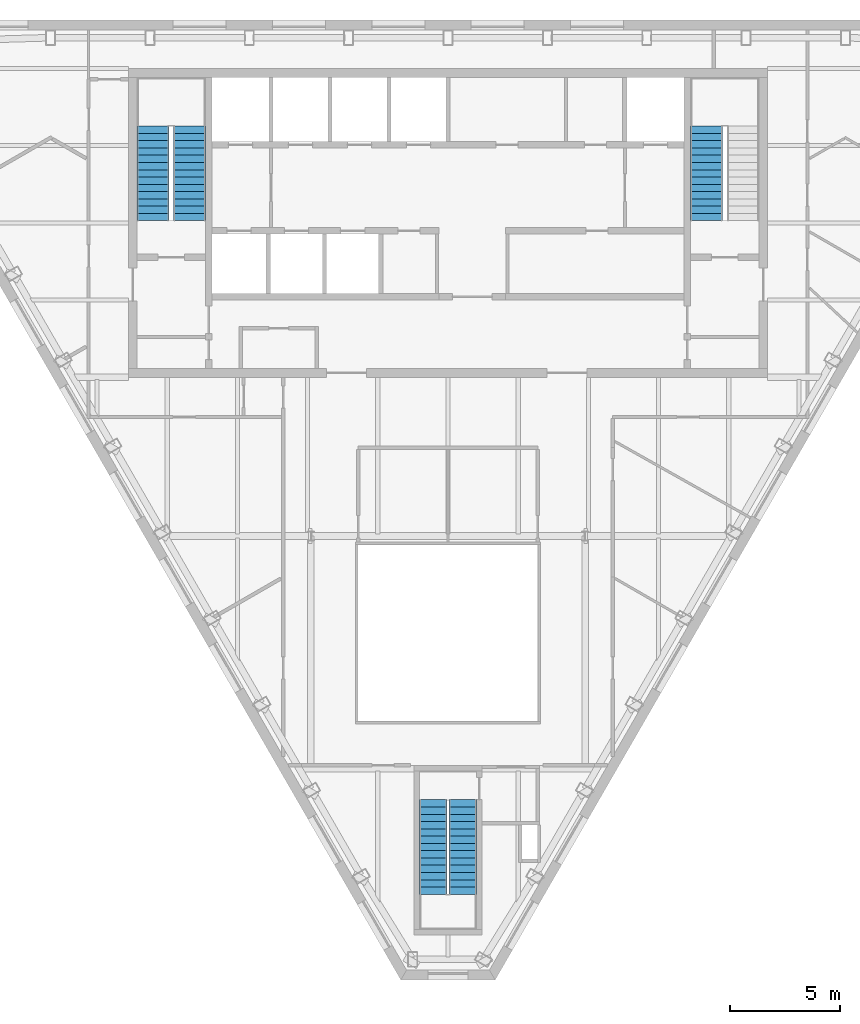
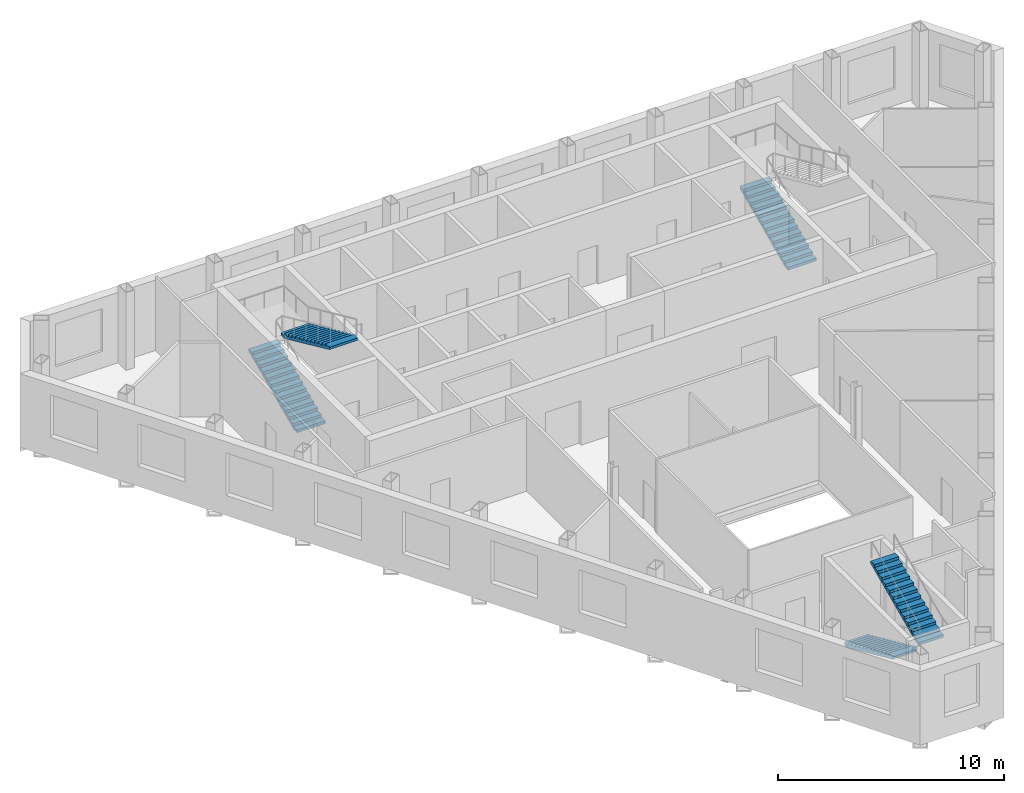
# One storey, part 7 of 9: 5 stair flights, 3 elements without a shape of their own.
"""IFC4 building model written with IfcOpenShell, lengths in metres."""

from ifc_helpers import new_model, si_unit, direction, frame, origin, place, context, subcontext, project, spatial, polygons, material, type_object, element, aggregate, save


model = new_model("IFC4")

# Units and contexts
model_context = context("Model", 3, precision=1e-05, world=origin(), true_north=direction((0.0, 1.0)))
body_context = subcontext(model_context, "Body", "Model", "MODEL_VIEW")
ifc_project = project(units=[si_unit("LENGTHUNIT", "METRE"), si_unit("AREAUNIT", "SQUARE_METRE"), si_unit("VOLUMEUNIT", "CUBIC_METRE"), si_unit("PLANEANGLEUNIT", "RADIAN"), si_unit("MASSUNIT", "GRAM", prefix="KILO")], contexts=[model_context])

# Site, building, storey
site_placement = place(None, origin())
site = spatial("IfcSite", under=ifc_project, at=site_placement, CompositionType="ELEMENT")
building_placement = place(site_placement, origin())
building = spatial("IfcBuilding", under=site, at=building_placement, Name="Njiva Tower", CompositionType="ELEMENT")
storey_placement = place(building_placement, frame((0.0, 0.0, 321.0)))
storey = spatial("IfcBuildingStorey", under=building, at=storey_placement, Name="L73", CompositionType="ELEMENT", Elevation=321.0)

# Stair, stair flights
ifc_material = material(Name="Concrete C40/50", Category="concrete")
stair_type_1 = type_object("IfcStairType", Name="ST1 Exit stair 1250", PredefinedType="HALF_TURN_STAIR", material=ifc_material)
stair_1_placement = place(storey_placement, origin())
stair_1 = element("IfcStair", 1, at=stair_1_placement, inside=storey, type_object=stair_type_1, Name="Stair C", PredefinedType="HALF_TURN_STAIR")
stair_flight_type_1 = type_object("IfcStairFlightType", Name="FL1 Stair flight 1250", PredefinedType="STRAIGHT", material=ifc_material)
stair_flight_1_placement = place(storey_placement, frame((-0.675, -15.16, 0.0), z_axis=(0.0, 0.0, 1.0), x_axis=(0.0, -1.0, 0.0)))
stair_flight_1 = element("IfcStairFlight", 2, at=stair_flight_1_placement, type_object=stair_flight_type_1, Name="ST-C flight 1", NumberOfRisers=14, NumberOfTreads=13, PredefinedType="STRAIGHT", RiserHeight=0.15, TreadLength=0.33, context=body_context, shape_type="Tessellation", body=[
    polygons([(0.0, 0.625, 0.0), (0.0, 0.3125, 0.0), (0.0, 0.0, 0.0), (0.0, -0.3125, 0.0), (0.0, -0.625, 0.0), (0.0, 0.625, 0.15), (0.0, 0.3125, 0.15), (0.0, 0.0, 0.15), (0.0, -0.3125, 0.15), (0.0, -0.625, 0.15), (0.33, 0.625, 0.15), (0.33, 0.3125, 0.15), (0.33, 0.0, 0.15), (0.33, -0.3125, 0.15), (0.33, -0.625, 0.15), (0.33, 0.625, 0.3), (0.33, 0.3125, 0.3), (0.33, 0.0, 0.3), (0.33, -0.3125, 0.3), (0.33, -0.625, 0.3), (0.66, 0.625, 0.3), (0.66, 0.3125, 0.3), (0.66, 0.0, 0.3), (0.66, -0.3125, 0.3), (0.66, -0.625, 0.3), (0.66, 0.625, 0.45), (0.66, 0.3125, 0.45), (0.66, 0.0, 0.45), (0.66, -0.3125, 0.45), (0.66, -0.625, 0.45), (0.99, 0.625, 0.45), (0.99, 0.3125, 0.45), (0.99, 0.0, 0.45), (0.99, -0.3125, 0.45), (0.99, -0.625, 0.45), (0.99, 0.625, 0.6), (0.99, 0.3125, 0.6), (0.99, 0.0, 0.6), (0.99, -0.3125, 0.6), (0.99, -0.625, 0.6), (1.32, 0.625, 0.6), (1.32, 0.3125, 0.6), (1.32, 0.0, 0.6), (1.32, -0.3125, 0.6), (1.32, -0.625, 0.6), (1.32, 0.625, 0.75), (1.32, 0.3125, 0.75), (1.32, 0.0, 0.75), (1.32, -0.3125, 0.75), (1.32, -0.625, 0.75), (1.65, 0.625, 0.75), (1.65, 0.3125, 0.75), (1.65, 0.0, 0.75), (1.65, -0.3125, 0.75), (1.65, -0.625, 0.75), (1.65, 0.625, 0.9), (1.65, 0.3125, 0.9), (1.65, 0.0, 0.9), (1.65, -0.3125, 0.9), (1.65, -0.625, 0.9), (1.98, 0.625, 0.9), (1.98, 0.3125, 0.9), (1.98, 0.0, 0.9), (1.98, -0.3125, 0.9), (1.98, -0.625, 0.9), (1.98, 0.625, 1.05), (1.98, 0.3125, 1.05), (1.98, 0.0, 1.05), (1.98, -0.3125, 1.05), (1.98, -0.625, 1.05), (2.31, 0.625, 1.05), (2.31, 0.3125, 1.05), (2.31, 0.0, 1.05), (2.31, -0.3125, 1.05), (2.31, -0.625, 1.05), (2.31, 0.625, 1.2), (2.31, 0.3125, 1.2), (2.31, 0.0, 1.2), (2.31, -0.3125, 1.2), (2.31, -0.625, 1.2), (2.64, 0.625, 1.2), (2.64, 0.3125, 1.2), (2.64, 0.0, 1.2), (2.64, -0.3125, 1.2), (2.64, -0.625, 1.2), (2.64, 0.625, 1.35), (2.64, 0.3125, 1.35), (2.64, 0.0, 1.35), (2.64, -0.3125, 1.35), (2.64, -0.625, 1.35), (2.97, 0.625, 1.35), (2.97, 0.3125, 1.35), (2.97, 0.0, 1.35), (2.97, -0.3125, 1.35), (2.97, -0.625, 1.35), (2.97, 0.625, 1.5), (2.97, 0.3125, 1.5), (2.97, 0.0, 1.5), (2.97, -0.3125, 1.5), (2.97, -0.625, 1.5), (3.3, 0.625, 1.5), (3.3, 0.3125, 1.5), (3.3, 0.0, 1.5), (3.3, -0.3125, 1.5), (3.3, -0.625, 1.5), (3.3, 0.625, 1.65), (3.3, 0.3125, 1.65), (3.3, 0.0, 1.65), (3.3, -0.3125, 1.65), (3.3, -0.625, 1.65), (3.63, 0.625, 1.65), (3.63, 0.3125, 1.65), (3.63, 0.0, 1.65), (3.63, -0.3125, 1.65), (3.63, -0.625, 1.65), (3.63, 0.625, 1.8), (3.63, 0.3125, 1.8), (3.63, 0.0, 1.8), (3.63, -0.3125, 1.8), (3.63, -0.625, 1.8), (3.96, 0.625, 1.8), (3.96, 0.3125, 1.8), (3.96, 0.0, 1.8), (3.96, -0.3125, 1.8), (3.96, -0.625, 1.8), (3.96, 0.625, 1.95), (3.96, 0.3125, 1.95), (3.96, 0.0, 1.95), (3.96, -0.3125, 1.95), (3.96, -0.625, 1.95), (4.29, 0.625, 1.95), (4.29, 0.3125, 1.95), (4.29, 0.0, 1.95), (4.29, -0.3125, 1.95), (4.29, -0.625, 1.95), (4.29, 0.625, 1.8182), (4.29, 0.3125, 1.8182), (4.29, 0.0, 1.8182), (4.29, -0.3125, 1.8182), (4.29, -0.625, 1.8182), (0.29, 0.625, 0.0), (0.29, 0.3125, 0.0), (0.29, 0.0, 0.0), (0.29, -0.3125, 0.0), (0.29, -0.625, 0.0)], [[[1, 6, 11, 16, 21, 26, 31, 36, 41, 46, 51, 56, 61, 66, 71, 76, 81, 86, 91, 96, 101, 106, 111, 116, 121, 126, 131, 136, 141]], [[145, 140, 135, 130, 125, 120, 115, 110, 105, 100, 95, 90, 85, 80, 75, 70, 65, 60, 55, 50, 45, 40, 35, 30, 25, 20, 15, 10, 5]], [[6, 1, 2, 7]], [[7, 2, 3, 8]], [[8, 3, 4, 9]], [[9, 4, 5, 10]], [[11, 6, 7, 12]], [[12, 7, 8, 13]], [[13, 8, 9, 14]], [[14, 9, 10, 15]], [[16, 11, 12, 17]], [[17, 12, 13, 18]], [[18, 13, 14, 19]], [[19, 14, 15, 20]], [[21, 16, 17, 22]], [[22, 17, 18, 23]], [[23, 18, 19, 24]], [[24, 19, 20, 25]], [[26, 21, 22, 27]], [[27, 22, 23, 28]], [[28, 23, 24, 29]], [[29, 24, 25, 30]], [[31, 26, 27, 32]], [[32, 27, 28, 33]], [[33, 28, 29, 34]], [[34, 29, 30, 35]], [[36, 31, 32, 37]], [[37, 32, 33, 38]], [[38, 33, 34, 39]], [[39, 34, 35, 40]], [[41, 36, 37, 42]], [[42, 37, 38, 43]], [[43, 38, 39, 44]], [[44, 39, 40, 45]], [[46, 41, 42, 47]], [[47, 42, 43, 48]], [[48, 43, 44, 49]], [[49, 44, 45, 50]], [[51, 46, 47, 52]], [[52, 47, 48, 53]], [[53, 48, 49, 54]], [[54, 49, 50, 55]], [[56, 51, 52, 57]], [[57, 52, 53, 58]], [[58, 53, 54, 59]], [[59, 54, 55, 60]], [[61, 56, 57, 62]], [[62, 57, 58, 63]], [[63, 58, 59, 64]], [[64, 59, 60, 65]], [[66, 61, 62, 67]], [[67, 62, 63, 68]], [[68, 63, 64, 69]], [[69, 64, 65, 70]], [[71, 66, 67, 72]], [[72, 67, 68, 73]], [[73, 68, 69, 74]], [[74, 69, 70, 75]], [[76, 71, 72, 77]], [[77, 72, 73, 78]], [[78, 73, 74, 79]], [[79, 74, 75, 80]], [[81, 76, 77, 82]], [[82, 77, 78, 83]], [[83, 78, 79, 84]], [[84, 79, 80, 85]], [[86, 81, 82, 87]], [[87, 82, 83, 88]], [[88, 83, 84, 89]], [[89, 84, 85, 90]], [[91, 86, 87, 92]], [[92, 87, 88, 93]], [[93, 88, 89, 94]], [[94, 89, 90, 95]], [[96, 91, 92, 97]], [[97, 92, 93, 98]], [[98, 93, 94, 99]], [[99, 94, 95, 100]], [[101, 96, 97, 102]], [[102, 97, 98, 103]], [[103, 98, 99, 104]], [[104, 99, 100, 105]], [[106, 101, 102, 107]], [[107, 102, 103, 108]], [[108, 103, 104, 109]], [[109, 104, 105, 110]], [[111, 106, 107, 112]], [[112, 107, 108, 113]], [[113, 108, 109, 114]], [[114, 109, 110, 115]], [[116, 111, 112, 117]], [[117, 112, 113, 118]], [[118, 113, 114, 119]], [[119, 114, 115, 120]], [[121, 116, 117, 122]], [[122, 117, 118, 123]], [[123, 118, 119, 124]], [[124, 119, 120, 125]], [[126, 121, 122, 127]], [[127, 122, 123, 128]], [[128, 123, 124, 129]], [[129, 124, 125, 130]], [[131, 126, 127, 132]], [[132, 127, 128, 133]], [[133, 128, 129, 134]], [[134, 129, 130, 135]], [[136, 131, 132, 137]], [[137, 132, 133, 138]], [[138, 133, 134, 139]], [[139, 134, 135, 140]], [[141, 136, 137, 142]], [[142, 137, 138, 143]], [[143, 138, 139, 144]], [[144, 139, 140, 145]], [[1, 141, 142, 2]], [[2, 142, 143, 3]], [[3, 143, 144, 4]], [[4, 144, 145, 5]]], closed=True),
])
stair_flight_2_placement = place(storey_placement, frame((0.675, -19.45, 2.1), z_axis=(0.0, 0.0, 1.0), x_axis=(0.0, 1.0, 0.0)))
stair_flight_2 = element("IfcStairFlight", 3, at=stair_flight_2_placement, type_object=stair_flight_type_1, Name="ST-C flight 2", NumberOfRisers=14, NumberOfTreads=13, PredefinedType="STRAIGHT", RiserHeight=0.15, TreadLength=0.33, context=body_context, shape_type="Tessellation", body=[
    polygons([(0.0, 0.625, 0.0), (0.0, 0.3125, 0.0), (0.0, 0.0, 0.0), (0.0, -0.3125, 0.0), (0.0, -0.625, 0.0), (0.0, 0.625, 0.15), (0.0, 0.3125, 0.15), (0.0, 0.0, 0.15), (0.0, -0.3125, 0.15), (0.0, -0.625, 0.15), (0.33, 0.625, 0.15), (0.33, 0.3125, 0.15), (0.33, 0.0, 0.15), (0.33, -0.3125, 0.15), (0.33, -0.625, 0.15), (0.33, 0.625, 0.3), (0.33, 0.3125, 0.3), (0.33, 0.0, 0.3), (0.33, -0.3125, 0.3), (0.33, -0.625, 0.3), (0.66, 0.625, 0.3), (0.66, 0.3125, 0.3), (0.66, 0.0, 0.3), (0.66, -0.3125, 0.3), (0.66, -0.625, 0.3), (0.66, 0.625, 0.45), (0.66, 0.3125, 0.45), (0.66, 0.0, 0.45), (0.66, -0.3125, 0.45), (0.66, -0.625, 0.45), (0.99, 0.625, 0.45), (0.99, 0.3125, 0.45), (0.99, 0.0, 0.45), (0.99, -0.3125, 0.45), (0.99, -0.625, 0.45), (0.99, 0.625, 0.6), (0.99, 0.3125, 0.6), (0.99, 0.0, 0.6), (0.99, -0.3125, 0.6), (0.99, -0.625, 0.6), (1.32, 0.625, 0.6), (1.32, 0.3125, 0.6), (1.32, 0.0, 0.6), (1.32, -0.3125, 0.6), (1.32, -0.625, 0.6), (1.32, 0.625, 0.75), (1.32, 0.3125, 0.75), (1.32, 0.0, 0.75), (1.32, -0.3125, 0.75), (1.32, -0.625, 0.75), (1.65, 0.625, 0.75), (1.65, 0.3125, 0.75), (1.65, 0.0, 0.75), (1.65, -0.3125, 0.75), (1.65, -0.625, 0.75), (1.65, 0.625, 0.9), (1.65, 0.3125, 0.9), (1.65, 0.0, 0.9), (1.65, -0.3125, 0.9), (1.65, -0.625, 0.9), (1.98, 0.625, 0.9), (1.98, 0.3125, 0.9), (1.98, 0.0, 0.9), (1.98, -0.3125, 0.9), (1.98, -0.625, 0.9), (1.98, 0.625, 1.05), (1.98, 0.3125, 1.05), (1.98, 0.0, 1.05), (1.98, -0.3125, 1.05), (1.98, -0.625, 1.05), (2.31, 0.625, 1.05), (2.31, 0.3125, 1.05), (2.31, 0.0, 1.05), (2.31, -0.3125, 1.05), (2.31, -0.625, 1.05), (2.31, 0.625, 1.2), (2.31, 0.3125, 1.2), (2.31, 0.0, 1.2), (2.31, -0.3125, 1.2), (2.31, -0.625, 1.2), (2.64, 0.625, 1.2), (2.64, 0.3125, 1.2), (2.64, 0.0, 1.2), (2.64, -0.3125, 1.2), (2.64, -0.625, 1.2), (2.64, 0.625, 1.35), (2.64, 0.3125, 1.35), (2.64, 0.0, 1.35), (2.64, -0.3125, 1.35), (2.64, -0.625, 1.35), (2.97, 0.625, 1.35), (2.97, 0.3125, 1.35), (2.97, 0.0, 1.35), (2.97, -0.3125, 1.35), (2.97, -0.625, 1.35), (2.97, 0.625, 1.5), (2.97, 0.3125, 1.5), (2.97, 0.0, 1.5), (2.97, -0.3125, 1.5), (2.97, -0.625, 1.5), (3.3, 0.625, 1.5), (3.3, 0.3125, 1.5), (3.3, 0.0, 1.5), (3.3, -0.3125, 1.5), (3.3, -0.625, 1.5), (3.3, 0.625, 1.65), (3.3, 0.3125, 1.65), (3.3, 0.0, 1.65), (3.3, -0.3125, 1.65), (3.3, -0.625, 1.65), (3.63, 0.625, 1.65), (3.63, 0.3125, 1.65), (3.63, 0.0, 1.65), (3.63, -0.3125, 1.65), (3.63, -0.625, 1.65), (3.63, 0.625, 1.8), (3.63, 0.3125, 1.8), (3.63, 0.0, 1.8), (3.63, -0.3125, 1.8), (3.63, -0.625, 1.8), (3.96, 0.625, 1.8), (3.96, 0.3125, 1.8), (3.96, 0.0, 1.8), (3.96, -0.3125, 1.8), (3.96, -0.625, 1.8), (3.96, 0.625, 1.95), (3.96, 0.3125, 1.95), (3.96, 0.0, 1.95), (3.96, -0.3125, 1.95), (3.96, -0.625, 1.95), (4.29, 0.625, 1.95), (4.29, 0.3125, 1.95), (4.29, 0.0, 1.95), (4.29, -0.3125, 1.95), (4.29, -0.625, 1.95), (4.29, 0.625, 1.8182), (4.29, 0.3125, 1.8182), (4.29, 0.0, 1.8182), (4.29, -0.3125, 1.8182), (4.29, -0.625, 1.8182), (0.29, 0.625, 0.0), (0.29, 0.3125, 0.0), (0.29, 0.0, 0.0), (0.29, -0.3125, 0.0), (0.29, -0.625, 0.0)], [[[1, 6, 11, 16, 21, 26, 31, 36, 41, 46, 51, 56, 61, 66, 71, 76, 81, 86, 91, 96, 101, 106, 111, 116, 121, 126, 131, 136, 141]], [[145, 140, 135, 130, 125, 120, 115, 110, 105, 100, 95, 90, 85, 80, 75, 70, 65, 60, 55, 50, 45, 40, 35, 30, 25, 20, 15, 10, 5]], [[6, 1, 2, 7]], [[7, 2, 3, 8]], [[8, 3, 4, 9]], [[9, 4, 5, 10]], [[11, 6, 7, 12]], [[12, 7, 8, 13]], [[13, 8, 9, 14]], [[14, 9, 10, 15]], [[16, 11, 12, 17]], [[17, 12, 13, 18]], [[18, 13, 14, 19]], [[19, 14, 15, 20]], [[21, 16, 17, 22]], [[22, 17, 18, 23]], [[23, 18, 19, 24]], [[24, 19, 20, 25]], [[26, 21, 22, 27]], [[27, 22, 23, 28]], [[28, 23, 24, 29]], [[29, 24, 25, 30]], [[31, 26, 27, 32]], [[32, 27, 28, 33]], [[33, 28, 29, 34]], [[34, 29, 30, 35]], [[36, 31, 32, 37]], [[37, 32, 33, 38]], [[38, 33, 34, 39]], [[39, 34, 35, 40]], [[41, 36, 37, 42]], [[42, 37, 38, 43]], [[43, 38, 39, 44]], [[44, 39, 40, 45]], [[46, 41, 42, 47]], [[47, 42, 43, 48]], [[48, 43, 44, 49]], [[49, 44, 45, 50]], [[51, 46, 47, 52]], [[52, 47, 48, 53]], [[53, 48, 49, 54]], [[54, 49, 50, 55]], [[56, 51, 52, 57]], [[57, 52, 53, 58]], [[58, 53, 54, 59]], [[59, 54, 55, 60]], [[61, 56, 57, 62]], [[62, 57, 58, 63]], [[63, 58, 59, 64]], [[64, 59, 60, 65]], [[66, 61, 62, 67]], [[67, 62, 63, 68]], [[68, 63, 64, 69]], [[69, 64, 65, 70]], [[71, 66, 67, 72]], [[72, 67, 68, 73]], [[73, 68, 69, 74]], [[74, 69, 70, 75]], [[76, 71, 72, 77]], [[77, 72, 73, 78]], [[78, 73, 74, 79]], [[79, 74, 75, 80]], [[81, 76, 77, 82]], [[82, 77, 78, 83]], [[83, 78, 79, 84]], [[84, 79, 80, 85]], [[86, 81, 82, 87]], [[87, 82, 83, 88]], [[88, 83, 84, 89]], [[89, 84, 85, 90]], [[91, 86, 87, 92]], [[92, 87, 88, 93]], [[93, 88, 89, 94]], [[94, 89, 90, 95]], [[96, 91, 92, 97]], [[97, 92, 93, 98]], [[98, 93, 94, 99]], [[99, 94, 95, 100]], [[101, 96, 97, 102]], [[102, 97, 98, 103]], [[103, 98, 99, 104]], [[104, 99, 100, 105]], [[106, 101, 102, 107]], [[107, 102, 103, 108]], [[108, 103, 104, 109]], [[109, 104, 105, 110]], [[111, 106, 107, 112]], [[112, 107, 108, 113]], [[113, 108, 109, 114]], [[114, 109, 110, 115]], [[116, 111, 112, 117]], [[117, 112, 113, 118]], [[118, 113, 114, 119]], [[119, 114, 115, 120]], [[121, 116, 117, 122]], [[122, 117, 118, 123]], [[123, 118, 119, 124]], [[124, 119, 120, 125]], [[126, 121, 122, 127]], [[127, 122, 123, 128]], [[128, 123, 124, 129]], [[129, 124, 125, 130]], [[131, 126, 127, 132]], [[132, 127, 128, 133]], [[133, 128, 129, 134]], [[134, 129, 130, 135]], [[136, 131, 132, 137]], [[137, 132, 133, 138]], [[138, 133, 134, 139]], [[139, 134, 135, 140]], [[141, 136, 137, 142]], [[142, 137, 138, 143]], [[143, 138, 139, 144]], [[144, 139, 140, 145]], [[1, 141, 142, 2]], [[2, 142, 143, 3]], [[3, 143, 144, 4]], [[4, 144, 145, 5]]], closed=True),
])
aggregate(stair_1, [stair_flight_1, stair_flight_2])

stair_type_2 = type_object("IfcStairType", Name="ST3 Exit stair 1450", PredefinedType="HALF_TURN_STAIR", material=ifc_material)
stair_2_placement = place(storey_placement, origin())
stair_2 = element("IfcStair", 4, at=stair_2_placement, inside=storey, type_object=stair_type_2, Name="Stair A", PredefinedType="HALF_TURN_STAIR")
stair_flight_type_2 = type_object("IfcStairFlightType", Name="FL3 Stair flight 1450", PredefinedType="STRAIGHT", material=ifc_material)
stair_flight_3_placement = place(storey_placement, frame((-13.375, 11.1, 0.0), z_axis=(0.0, 0.0, 1.0), x_axis=(0.0, 1.0, 0.0)))
stair_flight_3 = element("IfcStairFlight", 5, at=stair_flight_3_placement, type_object=stair_flight_type_2, Name="ST-A flight 1", NumberOfRisers=14, NumberOfTreads=13, PredefinedType="STRAIGHT", RiserHeight=0.15, TreadLength=0.33, context=body_context, shape_type="Tessellation", body=[
    polygons([(0.0, 0.725, 0.0), (0.0, 0.3625, 0.0), (0.0, 0.0, 0.0), (0.0, -0.3625, 0.0), (0.0, -0.725, 0.0), (0.0, 0.725, 0.15), (0.0, 0.3625, 0.15), (0.0, 0.0, 0.15), (0.0, -0.3625, 0.15), (0.0, -0.725, 0.15), (0.33, 0.725, 0.15), (0.33, 0.3625, 0.15), (0.33, 0.0, 0.15), (0.33, -0.3625, 0.15), (0.33, -0.725, 0.15), (0.33, 0.725, 0.3), (0.33, 0.3625, 0.3), (0.33, 0.0, 0.3), (0.33, -0.3625, 0.3), (0.33, -0.725, 0.3), (0.66, 0.725, 0.3), (0.66, 0.3625, 0.3), (0.66, 0.0, 0.3), (0.66, -0.3625, 0.3), (0.66, -0.725, 0.3), (0.66, 0.725, 0.45), (0.66, 0.3625, 0.45), (0.66, 0.0, 0.45), (0.66, -0.3625, 0.45), (0.66, -0.725, 0.45), (0.99, 0.725, 0.45), (0.99, 0.3625, 0.45), (0.99, 0.0, 0.45), (0.99, -0.3625, 0.45), (0.99, -0.725, 0.45), (0.99, 0.725, 0.6), (0.99, 0.3625, 0.6), (0.99, 0.0, 0.6), (0.99, -0.3625, 0.6), (0.99, -0.725, 0.6), (1.32, 0.725, 0.6), (1.32, 0.3625, 0.6), (1.32, 0.0, 0.6), (1.32, -0.3625, 0.6), (1.32, -0.725, 0.6), (1.32, 0.725, 0.75), (1.32, 0.3625, 0.75), (1.32, 0.0, 0.75), (1.32, -0.3625, 0.75), (1.32, -0.725, 0.75), (1.65, 0.725, 0.75), (1.65, 0.3625, 0.75), (1.65, 0.0, 0.75), (1.65, -0.3625, 0.75), (1.65, -0.725, 0.75), (1.65, 0.725, 0.9), (1.65, 0.3625, 0.9), (1.65, 0.0, 0.9), (1.65, -0.3625, 0.9), (1.65, -0.725, 0.9), (1.98, 0.725, 0.9), (1.98, 0.3625, 0.9), (1.98, 0.0, 0.9), (1.98, -0.3625, 0.9), (1.98, -0.725, 0.9), (1.98, 0.725, 1.05), (1.98, 0.3625, 1.05), (1.98, 0.0, 1.05), (1.98, -0.3625, 1.05), (1.98, -0.725, 1.05), (2.31, 0.725, 1.05), (2.31, 0.3625, 1.05), (2.31, 0.0, 1.05), (2.31, -0.3625, 1.05), (2.31, -0.725, 1.05), (2.31, 0.725, 1.2), (2.31, 0.3625, 1.2), (2.31, 0.0, 1.2), (2.31, -0.3625, 1.2), (2.31, -0.725, 1.2), (2.64, 0.725, 1.2), (2.64, 0.3625, 1.2), (2.64, 0.0, 1.2), (2.64, -0.3625, 1.2), (2.64, -0.725, 1.2), (2.64, 0.725, 1.35), (2.64, 0.3625, 1.35), (2.64, 0.0, 1.35), (2.64, -0.3625, 1.35), (2.64, -0.725, 1.35), (2.97, 0.725, 1.35), (2.97, 0.3625, 1.35), (2.97, 0.0, 1.35), (2.97, -0.3625, 1.35), (2.97, -0.725, 1.35), (2.97, 0.725, 1.5), (2.97, 0.3625, 1.5), (2.97, 0.0, 1.5), (2.97, -0.3625, 1.5), (2.97, -0.725, 1.5), (3.3, 0.725, 1.5), (3.3, 0.3625, 1.5), (3.3, 0.0, 1.5), (3.3, -0.3625, 1.5), (3.3, -0.725, 1.5), (3.3, 0.725, 1.65), (3.3, 0.3625, 1.65), (3.3, 0.0, 1.65), (3.3, -0.3625, 1.65), (3.3, -0.725, 1.65), (3.63, 0.725, 1.65), (3.63, 0.3625, 1.65), (3.63, 0.0, 1.65), (3.63, -0.3625, 1.65), (3.63, -0.725, 1.65), (3.63, 0.725, 1.8), (3.63, 0.3625, 1.8), (3.63, 0.0, 1.8), (3.63, -0.3625, 1.8), (3.63, -0.725, 1.8), (3.96, 0.725, 1.8), (3.96, 0.3625, 1.8), (3.96, 0.0, 1.8), (3.96, -0.3625, 1.8), (3.96, -0.725, 1.8), (3.96, 0.725, 1.95), (3.96, 0.3625, 1.95), (3.96, 0.0, 1.95), (3.96, -0.3625, 1.95), (3.96, -0.725, 1.95), (4.29, 0.725, 1.95), (4.29, 0.3625, 1.95), (4.29, 0.0, 1.95), (4.29, -0.3625, 1.95), (4.29, -0.725, 1.95), (4.29, 0.725, 1.8182), (4.29, 0.3625, 1.8182), (4.29, 0.0, 1.8182), (4.29, -0.3625, 1.8182), (4.29, -0.725, 1.8182), (0.29, 0.725, 0.0), (0.29, 0.3625, 0.0), (0.29, 0.0, 0.0), (0.29, -0.3625, 0.0), (0.29, -0.725, 0.0)], [[[1, 6, 11, 16, 21, 26, 31, 36, 41, 46, 51, 56, 61, 66, 71, 76, 81, 86, 91, 96, 101, 106, 111, 116, 121, 126, 131, 136, 141]], [[145, 140, 135, 130, 125, 120, 115, 110, 105, 100, 95, 90, 85, 80, 75, 70, 65, 60, 55, 50, 45, 40, 35, 30, 25, 20, 15, 10, 5]], [[6, 1, 2, 7]], [[7, 2, 3, 8]], [[8, 3, 4, 9]], [[9, 4, 5, 10]], [[11, 6, 7, 12]], [[12, 7, 8, 13]], [[13, 8, 9, 14]], [[14, 9, 10, 15]], [[16, 11, 12, 17]], [[17, 12, 13, 18]], [[18, 13, 14, 19]], [[19, 14, 15, 20]], [[21, 16, 17, 22]], [[22, 17, 18, 23]], [[23, 18, 19, 24]], [[24, 19, 20, 25]], [[26, 21, 22, 27]], [[27, 22, 23, 28]], [[28, 23, 24, 29]], [[29, 24, 25, 30]], [[31, 26, 27, 32]], [[32, 27, 28, 33]], [[33, 28, 29, 34]], [[34, 29, 30, 35]], [[36, 31, 32, 37]], [[37, 32, 33, 38]], [[38, 33, 34, 39]], [[39, 34, 35, 40]], [[41, 36, 37, 42]], [[42, 37, 38, 43]], [[43, 38, 39, 44]], [[44, 39, 40, 45]], [[46, 41, 42, 47]], [[47, 42, 43, 48]], [[48, 43, 44, 49]], [[49, 44, 45, 50]], [[51, 46, 47, 52]], [[52, 47, 48, 53]], [[53, 48, 49, 54]], [[54, 49, 50, 55]], [[56, 51, 52, 57]], [[57, 52, 53, 58]], [[58, 53, 54, 59]], [[59, 54, 55, 60]], [[61, 56, 57, 62]], [[62, 57, 58, 63]], [[63, 58, 59, 64]], [[64, 59, 60, 65]], [[66, 61, 62, 67]], [[67, 62, 63, 68]], [[68, 63, 64, 69]], [[69, 64, 65, 70]], [[71, 66, 67, 72]], [[72, 67, 68, 73]], [[73, 68, 69, 74]], [[74, 69, 70, 75]], [[76, 71, 72, 77]], [[77, 72, 73, 78]], [[78, 73, 74, 79]], [[79, 74, 75, 80]], [[81, 76, 77, 82]], [[82, 77, 78, 83]], [[83, 78, 79, 84]], [[84, 79, 80, 85]], [[86, 81, 82, 87]], [[87, 82, 83, 88]], [[88, 83, 84, 89]], [[89, 84, 85, 90]], [[91, 86, 87, 92]], [[92, 87, 88, 93]], [[93, 88, 89, 94]], [[94, 89, 90, 95]], [[96, 91, 92, 97]], [[97, 92, 93, 98]], [[98, 93, 94, 99]], [[99, 94, 95, 100]], [[101, 96, 97, 102]], [[102, 97, 98, 103]], [[103, 98, 99, 104]], [[104, 99, 100, 105]], [[106, 101, 102, 107]], [[107, 102, 103, 108]], [[108, 103, 104, 109]], [[109, 104, 105, 110]], [[111, 106, 107, 112]], [[112, 107, 108, 113]], [[113, 108, 109, 114]], [[114, 109, 110, 115]], [[116, 111, 112, 117]], [[117, 112, 113, 118]], [[118, 113, 114, 119]], [[119, 114, 115, 120]], [[121, 116, 117, 122]], [[122, 117, 118, 123]], [[123, 118, 119, 124]], [[124, 119, 120, 125]], [[126, 121, 122, 127]], [[127, 122, 123, 128]], [[128, 123, 124, 129]], [[129, 124, 125, 130]], [[131, 126, 127, 132]], [[132, 127, 128, 133]], [[133, 128, 129, 134]], [[134, 129, 130, 135]], [[136, 131, 132, 137]], [[137, 132, 133, 138]], [[138, 133, 134, 139]], [[139, 134, 135, 140]], [[141, 136, 137, 142]], [[142, 137, 138, 143]], [[143, 138, 139, 144]], [[144, 139, 140, 145]], [[1, 141, 142, 2]], [[2, 142, 143, 3]], [[3, 143, 144, 4]], [[4, 144, 145, 5]]], closed=True),
])
stair_flight_4_placement = place(storey_placement, frame((-11.725, 15.39, 2.1), z_axis=(0.0, 0.0, 1.0), x_axis=(0.0, -1.0, 0.0)))
stair_flight_4 = element("IfcStairFlight", 6, at=stair_flight_4_placement, type_object=stair_flight_type_2, Name="ST-A flight 2", NumberOfRisers=14, NumberOfTreads=13, PredefinedType="STRAIGHT", RiserHeight=0.15, TreadLength=0.33, context=body_context, shape_type="Tessellation", body=[
    polygons([(0.0, 0.725, 0.0), (0.0, 0.3625, 0.0), (0.0, 0.0, 0.0), (0.0, -0.3625, 0.0), (0.0, -0.725, 0.0), (0.0, 0.725, 0.15), (0.0, 0.3625, 0.15), (0.0, 0.0, 0.15), (0.0, -0.3625, 0.15), (0.0, -0.725, 0.15), (0.33, 0.725, 0.15), (0.33, 0.3625, 0.15), (0.33, 0.0, 0.15), (0.33, -0.3625, 0.15), (0.33, -0.725, 0.15), (0.33, 0.725, 0.3), (0.33, 0.3625, 0.3), (0.33, 0.0, 0.3), (0.33, -0.3625, 0.3), (0.33, -0.725, 0.3), (0.66, 0.725, 0.3), (0.66, 0.3625, 0.3), (0.66, 0.0, 0.3), (0.66, -0.3625, 0.3), (0.66, -0.725, 0.3), (0.66, 0.725, 0.45), (0.66, 0.3625, 0.45), (0.66, 0.0, 0.45), (0.66, -0.3625, 0.45), (0.66, -0.725, 0.45), (0.99, 0.725, 0.45), (0.99, 0.3625, 0.45), (0.99, 0.0, 0.45), (0.99, -0.3625, 0.45), (0.99, -0.725, 0.45), (0.99, 0.725, 0.6), (0.99, 0.3625, 0.6), (0.99, 0.0, 0.6), (0.99, -0.3625, 0.6), (0.99, -0.725, 0.6), (1.32, 0.725, 0.6), (1.32, 0.3625, 0.6), (1.32, 0.0, 0.6), (1.32, -0.3625, 0.6), (1.32, -0.725, 0.6), (1.32, 0.725, 0.75), (1.32, 0.3625, 0.75), (1.32, 0.0, 0.75), (1.32, -0.3625, 0.75), (1.32, -0.725, 0.75), (1.65, 0.725, 0.75), (1.65, 0.3625, 0.75), (1.65, 0.0, 0.75), (1.65, -0.3625, 0.75), (1.65, -0.725, 0.75), (1.65, 0.725, 0.9), (1.65, 0.3625, 0.9), (1.65, 0.0, 0.9), (1.65, -0.3625, 0.9), (1.65, -0.725, 0.9), (1.98, 0.725, 0.9), (1.98, 0.3625, 0.9), (1.98, 0.0, 0.9), (1.98, -0.3625, 0.9), (1.98, -0.725, 0.9), (1.98, 0.725, 1.05), (1.98, 0.3625, 1.05), (1.98, 0.0, 1.05), (1.98, -0.3625, 1.05), (1.98, -0.725, 1.05), (2.31, 0.725, 1.05), (2.31, 0.3625, 1.05), (2.31, 0.0, 1.05), (2.31, -0.3625, 1.05), (2.31, -0.725, 1.05), (2.31, 0.725, 1.2), (2.31, 0.3625, 1.2), (2.31, 0.0, 1.2), (2.31, -0.3625, 1.2), (2.31, -0.725, 1.2), (2.64, 0.725, 1.2), (2.64, 0.3625, 1.2), (2.64, 0.0, 1.2), (2.64, -0.3625, 1.2), (2.64, -0.725, 1.2), (2.64, 0.725, 1.35), (2.64, 0.3625, 1.35), (2.64, 0.0, 1.35), (2.64, -0.3625, 1.35), (2.64, -0.725, 1.35), (2.97, 0.725, 1.35), (2.97, 0.3625, 1.35), (2.97, 0.0, 1.35), (2.97, -0.3625, 1.35), (2.97, -0.725, 1.35), (2.97, 0.725, 1.5), (2.97, 0.3625, 1.5), (2.97, 0.0, 1.5), (2.97, -0.3625, 1.5), (2.97, -0.725, 1.5), (3.3, 0.725, 1.5), (3.3, 0.3625, 1.5), (3.3, 0.0, 1.5), (3.3, -0.3625, 1.5), (3.3, -0.725, 1.5), (3.3, 0.725, 1.65), (3.3, 0.3625, 1.65), (3.3, 0.0, 1.65), (3.3, -0.3625, 1.65), (3.3, -0.725, 1.65), (3.63, 0.725, 1.65), (3.63, 0.3625, 1.65), (3.63, 0.0, 1.65), (3.63, -0.3625, 1.65), (3.63, -0.725, 1.65), (3.63, 0.725, 1.8), (3.63, 0.3625, 1.8), (3.63, 0.0, 1.8), (3.63, -0.3625, 1.8), (3.63, -0.725, 1.8), (3.96, 0.725, 1.8), (3.96, 0.3625, 1.8), (3.96, 0.0, 1.8), (3.96, -0.3625, 1.8), (3.96, -0.725, 1.8), (3.96, 0.725, 1.95), (3.96, 0.3625, 1.95), (3.96, 0.0, 1.95), (3.96, -0.3625, 1.95), (3.96, -0.725, 1.95), (4.29, 0.725, 1.95), (4.29, 0.3625, 1.95), (4.29, 0.0, 1.95), (4.29, -0.3625, 1.95), (4.29, -0.725, 1.95), (4.29, 0.725, 1.8182), (4.29, 0.3625, 1.8182), (4.29, 0.0, 1.8182), (4.29, -0.3625, 1.8182), (4.29, -0.725, 1.8182), (0.29, 0.725, 0.0), (0.29, 0.3625, 0.0), (0.29, 0.0, 0.0), (0.29, -0.3625, 0.0), (0.29, -0.725, 0.0)], [[[1, 6, 11, 16, 21, 26, 31, 36, 41, 46, 51, 56, 61, 66, 71, 76, 81, 86, 91, 96, 101, 106, 111, 116, 121, 126, 131, 136, 141]], [[145, 140, 135, 130, 125, 120, 115, 110, 105, 100, 95, 90, 85, 80, 75, 70, 65, 60, 55, 50, 45, 40, 35, 30, 25, 20, 15, 10, 5]], [[6, 1, 2, 7]], [[7, 2, 3, 8]], [[8, 3, 4, 9]], [[9, 4, 5, 10]], [[11, 6, 7, 12]], [[12, 7, 8, 13]], [[13, 8, 9, 14]], [[14, 9, 10, 15]], [[16, 11, 12, 17]], [[17, 12, 13, 18]], [[18, 13, 14, 19]], [[19, 14, 15, 20]], [[21, 16, 17, 22]], [[22, 17, 18, 23]], [[23, 18, 19, 24]], [[24, 19, 20, 25]], [[26, 21, 22, 27]], [[27, 22, 23, 28]], [[28, 23, 24, 29]], [[29, 24, 25, 30]], [[31, 26, 27, 32]], [[32, 27, 28, 33]], [[33, 28, 29, 34]], [[34, 29, 30, 35]], [[36, 31, 32, 37]], [[37, 32, 33, 38]], [[38, 33, 34, 39]], [[39, 34, 35, 40]], [[41, 36, 37, 42]], [[42, 37, 38, 43]], [[43, 38, 39, 44]], [[44, 39, 40, 45]], [[46, 41, 42, 47]], [[47, 42, 43, 48]], [[48, 43, 44, 49]], [[49, 44, 45, 50]], [[51, 46, 47, 52]], [[52, 47, 48, 53]], [[53, 48, 49, 54]], [[54, 49, 50, 55]], [[56, 51, 52, 57]], [[57, 52, 53, 58]], [[58, 53, 54, 59]], [[59, 54, 55, 60]], [[61, 56, 57, 62]], [[62, 57, 58, 63]], [[63, 58, 59, 64]], [[64, 59, 60, 65]], [[66, 61, 62, 67]], [[67, 62, 63, 68]], [[68, 63, 64, 69]], [[69, 64, 65, 70]], [[71, 66, 67, 72]], [[72, 67, 68, 73]], [[73, 68, 69, 74]], [[74, 69, 70, 75]], [[76, 71, 72, 77]], [[77, 72, 73, 78]], [[78, 73, 74, 79]], [[79, 74, 75, 80]], [[81, 76, 77, 82]], [[82, 77, 78, 83]], [[83, 78, 79, 84]], [[84, 79, 80, 85]], [[86, 81, 82, 87]], [[87, 82, 83, 88]], [[88, 83, 84, 89]], [[89, 84, 85, 90]], [[91, 86, 87, 92]], [[92, 87, 88, 93]], [[93, 88, 89, 94]], [[94, 89, 90, 95]], [[96, 91, 92, 97]], [[97, 92, 93, 98]], [[98, 93, 94, 99]], [[99, 94, 95, 100]], [[101, 96, 97, 102]], [[102, 97, 98, 103]], [[103, 98, 99, 104]], [[104, 99, 100, 105]], [[106, 101, 102, 107]], [[107, 102, 103, 108]], [[108, 103, 104, 109]], [[109, 104, 105, 110]], [[111, 106, 107, 112]], [[112, 107, 108, 113]], [[113, 108, 109, 114]], [[114, 109, 110, 115]], [[116, 111, 112, 117]], [[117, 112, 113, 118]], [[118, 113, 114, 119]], [[119, 114, 115, 120]], [[121, 116, 117, 122]], [[122, 117, 118, 123]], [[123, 118, 119, 124]], [[124, 119, 120, 125]], [[126, 121, 122, 127]], [[127, 122, 123, 128]], [[128, 123, 124, 129]], [[129, 124, 125, 130]], [[131, 126, 127, 132]], [[132, 127, 128, 133]], [[133, 128, 129, 134]], [[134, 129, 130, 135]], [[136, 131, 132, 137]], [[137, 132, 133, 138]], [[138, 133, 134, 139]], [[139, 134, 135, 140]], [[141, 136, 137, 142]], [[142, 137, 138, 143]], [[143, 138, 139, 144]], [[144, 139, 140, 145]], [[1, 141, 142, 2]], [[2, 142, 143, 3]], [[3, 143, 144, 4]], [[4, 144, 145, 5]]], closed=True),
])
aggregate(stair_2, [stair_flight_3, stair_flight_4])

# Stair, stair flight
stair_3_placement = place(storey_placement, origin())
stair_3 = element("IfcStair", 7, at=stair_3_placement, inside=storey, type_object=stair_type_2, Name="Stair B", PredefinedType="HALF_TURN_STAIR")
stair_flight_5_placement = place(storey_placement, frame((11.725, 11.1, 0.0), z_axis=(0.0, 0.0, 1.0), x_axis=(0.0, 1.0, 0.0)))
stair_flight_5 = element("IfcStairFlight", 8, at=stair_flight_5_placement, type_object=stair_flight_type_2, Name="ST-B flight 1", NumberOfRisers=14, NumberOfTreads=13, PredefinedType="STRAIGHT", RiserHeight=0.15, TreadLength=0.33, context=body_context, shape_type="Tessellation", body=[
    polygons([(0.0, 0.725, 0.0), (0.0, 0.3625, 0.0), (0.0, 0.0, 0.0), (0.0, -0.3625, 0.0), (0.0, -0.725, 0.0), (0.0, 0.725, 0.15), (0.0, 0.3625, 0.15), (0.0, 0.0, 0.15), (0.0, -0.3625, 0.15), (0.0, -0.725, 0.15), (0.33, 0.725, 0.15), (0.33, 0.3625, 0.15), (0.33, 0.0, 0.15), (0.33, -0.3625, 0.15), (0.33, -0.725, 0.15), (0.33, 0.725, 0.3), (0.33, 0.3625, 0.3), (0.33, 0.0, 0.3), (0.33, -0.3625, 0.3), (0.33, -0.725, 0.3), (0.66, 0.725, 0.3), (0.66, 0.3625, 0.3), (0.66, 0.0, 0.3), (0.66, -0.3625, 0.3), (0.66, -0.725, 0.3), (0.66, 0.725, 0.45), (0.66, 0.3625, 0.45), (0.66, 0.0, 0.45), (0.66, -0.3625, 0.45), (0.66, -0.725, 0.45), (0.99, 0.725, 0.45), (0.99, 0.3625, 0.45), (0.99, 0.0, 0.45), (0.99, -0.3625, 0.45), (0.99, -0.725, 0.45), (0.99, 0.725, 0.6), (0.99, 0.3625, 0.6), (0.99, 0.0, 0.6), (0.99, -0.3625, 0.6), (0.99, -0.725, 0.6), (1.32, 0.725, 0.6), (1.32, 0.3625, 0.6), (1.32, 0.0, 0.6), (1.32, -0.3625, 0.6), (1.32, -0.725, 0.6), (1.32, 0.725, 0.75), (1.32, 0.3625, 0.75), (1.32, 0.0, 0.75), (1.32, -0.3625, 0.75), (1.32, -0.725, 0.75), (1.65, 0.725, 0.75), (1.65, 0.3625, 0.75), (1.65, 0.0, 0.75), (1.65, -0.3625, 0.75), (1.65, -0.725, 0.75), (1.65, 0.725, 0.9), (1.65, 0.3625, 0.9), (1.65, 0.0, 0.9), (1.65, -0.3625, 0.9), (1.65, -0.725, 0.9), (1.98, 0.725, 0.9), (1.98, 0.3625, 0.9), (1.98, 0.0, 0.9), (1.98, -0.3625, 0.9), (1.98, -0.725, 0.9), (1.98, 0.725, 1.05), (1.98, 0.3625, 1.05), (1.98, 0.0, 1.05), (1.98, -0.3625, 1.05), (1.98, -0.725, 1.05), (2.31, 0.725, 1.05), (2.31, 0.3625, 1.05), (2.31, 0.0, 1.05), (2.31, -0.3625, 1.05), (2.31, -0.725, 1.05), (2.31, 0.725, 1.2), (2.31, 0.3625, 1.2), (2.31, 0.0, 1.2), (2.31, -0.3625, 1.2), (2.31, -0.725, 1.2), (2.64, 0.725, 1.2), (2.64, 0.3625, 1.2), (2.64, 0.0, 1.2), (2.64, -0.3625, 1.2), (2.64, -0.725, 1.2), (2.64, 0.725, 1.35), (2.64, 0.3625, 1.35), (2.64, 0.0, 1.35), (2.64, -0.3625, 1.35), (2.64, -0.725, 1.35), (2.97, 0.725, 1.35), (2.97, 0.3625, 1.35), (2.97, 0.0, 1.35), (2.97, -0.3625, 1.35), (2.97, -0.725, 1.35), (2.97, 0.725, 1.5), (2.97, 0.3625, 1.5), (2.97, 0.0, 1.5), (2.97, -0.3625, 1.5), (2.97, -0.725, 1.5), (3.3, 0.725, 1.5), (3.3, 0.3625, 1.5), (3.3, 0.0, 1.5), (3.3, -0.3625, 1.5), (3.3, -0.725, 1.5), (3.3, 0.725, 1.65), (3.3, 0.3625, 1.65), (3.3, 0.0, 1.65), (3.3, -0.3625, 1.65), (3.3, -0.725, 1.65), (3.63, 0.725, 1.65), (3.63, 0.3625, 1.65), (3.63, 0.0, 1.65), (3.63, -0.3625, 1.65), (3.63, -0.725, 1.65), (3.63, 0.725, 1.8), (3.63, 0.3625, 1.8), (3.63, 0.0, 1.8), (3.63, -0.3625, 1.8), (3.63, -0.725, 1.8), (3.96, 0.725, 1.8), (3.96, 0.3625, 1.8), (3.96, 0.0, 1.8), (3.96, -0.3625, 1.8), (3.96, -0.725, 1.8), (3.96, 0.725, 1.95), (3.96, 0.3625, 1.95), (3.96, 0.0, 1.95), (3.96, -0.3625, 1.95), (3.96, -0.725, 1.95), (4.29, 0.725, 1.95), (4.29, 0.3625, 1.95), (4.29, 0.0, 1.95), (4.29, -0.3625, 1.95), (4.29, -0.725, 1.95), (4.29, 0.725, 1.8182), (4.29, 0.3625, 1.8182), (4.29, 0.0, 1.8182), (4.29, -0.3625, 1.8182), (4.29, -0.725, 1.8182), (0.29, 0.725, 0.0), (0.29, 0.3625, 0.0), (0.29, 0.0, 0.0), (0.29, -0.3625, 0.0), (0.29, -0.725, 0.0)], [[[1, 6, 11, 16, 21, 26, 31, 36, 41, 46, 51, 56, 61, 66, 71, 76, 81, 86, 91, 96, 101, 106, 111, 116, 121, 126, 131, 136, 141]], [[145, 140, 135, 130, 125, 120, 115, 110, 105, 100, 95, 90, 85, 80, 75, 70, 65, 60, 55, 50, 45, 40, 35, 30, 25, 20, 15, 10, 5]], [[6, 1, 2, 7]], [[7, 2, 3, 8]], [[8, 3, 4, 9]], [[9, 4, 5, 10]], [[11, 6, 7, 12]], [[12, 7, 8, 13]], [[13, 8, 9, 14]], [[14, 9, 10, 15]], [[16, 11, 12, 17]], [[17, 12, 13, 18]], [[18, 13, 14, 19]], [[19, 14, 15, 20]], [[21, 16, 17, 22]], [[22, 17, 18, 23]], [[23, 18, 19, 24]], [[24, 19, 20, 25]], [[26, 21, 22, 27]], [[27, 22, 23, 28]], [[28, 23, 24, 29]], [[29, 24, 25, 30]], [[31, 26, 27, 32]], [[32, 27, 28, 33]], [[33, 28, 29, 34]], [[34, 29, 30, 35]], [[36, 31, 32, 37]], [[37, 32, 33, 38]], [[38, 33, 34, 39]], [[39, 34, 35, 40]], [[41, 36, 37, 42]], [[42, 37, 38, 43]], [[43, 38, 39, 44]], [[44, 39, 40, 45]], [[46, 41, 42, 47]], [[47, 42, 43, 48]], [[48, 43, 44, 49]], [[49, 44, 45, 50]], [[51, 46, 47, 52]], [[52, 47, 48, 53]], [[53, 48, 49, 54]], [[54, 49, 50, 55]], [[56, 51, 52, 57]], [[57, 52, 53, 58]], [[58, 53, 54, 59]], [[59, 54, 55, 60]], [[61, 56, 57, 62]], [[62, 57, 58, 63]], [[63, 58, 59, 64]], [[64, 59, 60, 65]], [[66, 61, 62, 67]], [[67, 62, 63, 68]], [[68, 63, 64, 69]], [[69, 64, 65, 70]], [[71, 66, 67, 72]], [[72, 67, 68, 73]], [[73, 68, 69, 74]], [[74, 69, 70, 75]], [[76, 71, 72, 77]], [[77, 72, 73, 78]], [[78, 73, 74, 79]], [[79, 74, 75, 80]], [[81, 76, 77, 82]], [[82, 77, 78, 83]], [[83, 78, 79, 84]], [[84, 79, 80, 85]], [[86, 81, 82, 87]], [[87, 82, 83, 88]], [[88, 83, 84, 89]], [[89, 84, 85, 90]], [[91, 86, 87, 92]], [[92, 87, 88, 93]], [[93, 88, 89, 94]], [[94, 89, 90, 95]], [[96, 91, 92, 97]], [[97, 92, 93, 98]], [[98, 93, 94, 99]], [[99, 94, 95, 100]], [[101, 96, 97, 102]], [[102, 97, 98, 103]], [[103, 98, 99, 104]], [[104, 99, 100, 105]], [[106, 101, 102, 107]], [[107, 102, 103, 108]], [[108, 103, 104, 109]], [[109, 104, 105, 110]], [[111, 106, 107, 112]], [[112, 107, 108, 113]], [[113, 108, 109, 114]], [[114, 109, 110, 115]], [[116, 111, 112, 117]], [[117, 112, 113, 118]], [[118, 113, 114, 119]], [[119, 114, 115, 120]], [[121, 116, 117, 122]], [[122, 117, 118, 123]], [[123, 118, 119, 124]], [[124, 119, 120, 125]], [[126, 121, 122, 127]], [[127, 122, 123, 128]], [[128, 123, 124, 129]], [[129, 124, 125, 130]], [[131, 126, 127, 132]], [[132, 127, 128, 133]], [[133, 128, 129, 134]], [[134, 129, 130, 135]], [[136, 131, 132, 137]], [[137, 132, 133, 138]], [[138, 133, 134, 139]], [[139, 134, 135, 140]], [[141, 136, 137, 142]], [[142, 137, 138, 143]], [[143, 138, 139, 144]], [[144, 139, 140, 145]], [[1, 141, 142, 2]], [[2, 142, 143, 3]], [[3, 143, 144, 4]], [[4, 144, 145, 5]]], closed=True),
])
aggregate(stair_3, [stair_flight_5])

save(model, "model.ifc")
